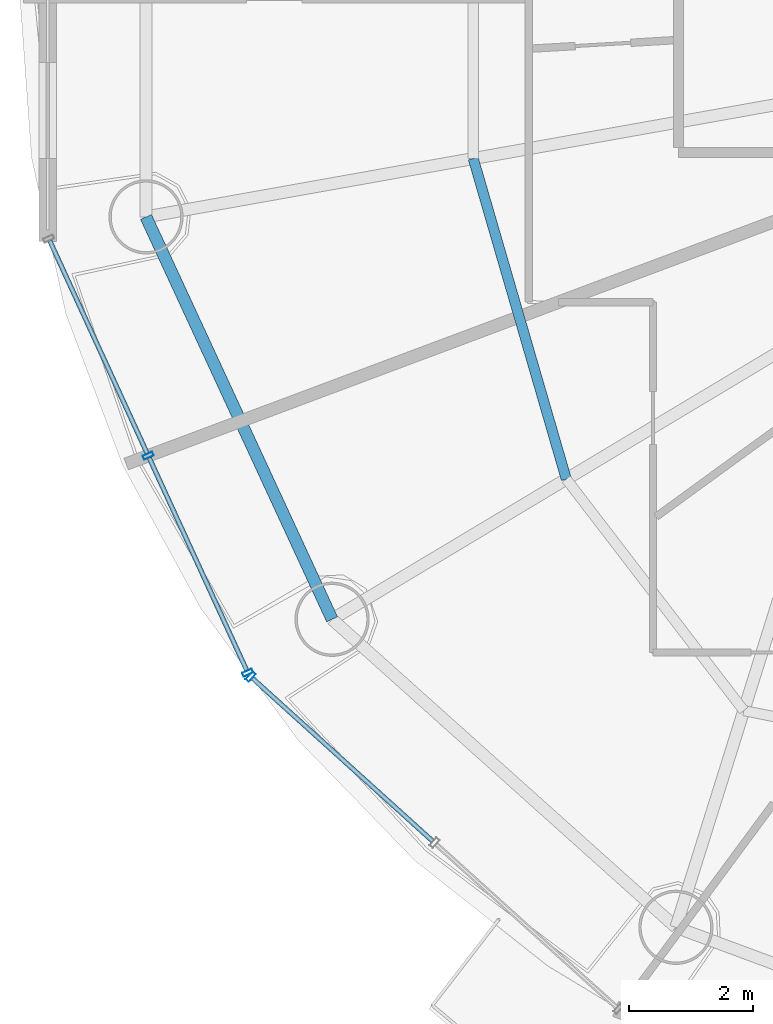
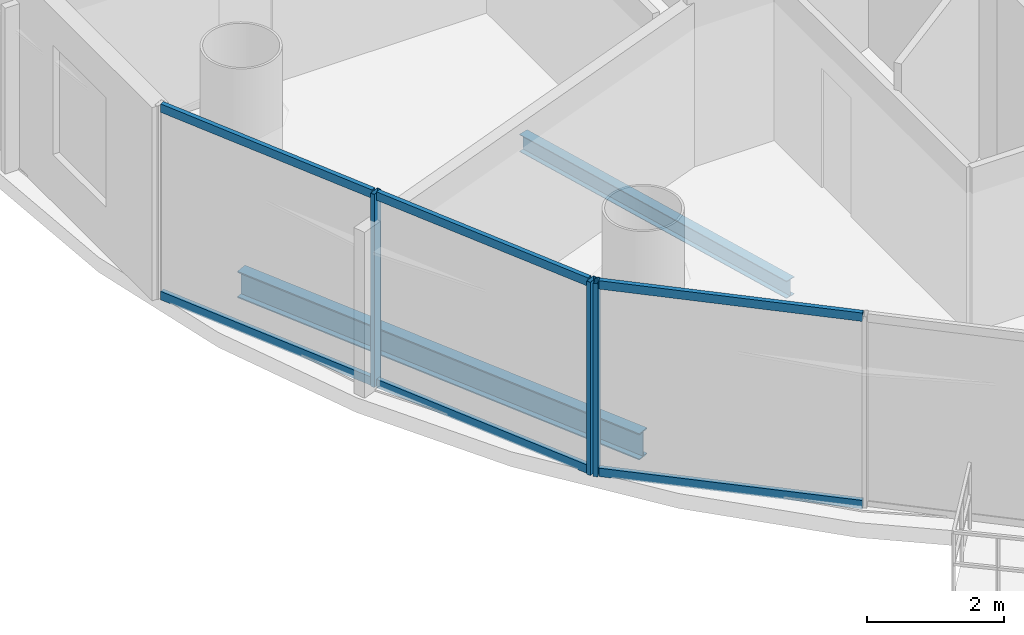
# One storey, part 3 of 26: 9 members, 2 beams, 2 elements without a shape of their own.
"""IFC4 building model written with IfcOpenShell, lengths in metres."""

from ifc_helpers import new_model, si_unit, direction, frame, origin, origin_2d, place, context, subcontext, project, spatial, hollow_rectangle, i_section, extrude, source, transform, mapped, material, material_profile, profile_set, type_object, element, aggregate, save


model = new_model("IFC4")

# Units and contexts
model_context = context("Model", 3, precision=1e-05, world=origin(), true_north=direction((-0.2419218956, 0.970295726276)))
body_context = subcontext(model_context, "Body", "Model", "MODEL_VIEW")
ifc_project = project(units=[si_unit("LENGTHUNIT", "METRE"), si_unit("AREAUNIT", "SQUARE_METRE"), si_unit("VOLUMEUNIT", "CUBIC_METRE"), si_unit("PLANEANGLEUNIT", "RADIAN"), si_unit("MASSUNIT", "GRAM", prefix="KILO")], contexts=[model_context])

# Site, building, storey
site_placement = place(None, origin())
site = spatial("IfcSite", under=ifc_project, at=site_placement, CompositionType="ELEMENT")
building_placement = place(site_placement, origin())
building = spatial("IfcBuilding", under=site, at=building_placement, Name="Cobrevalo Terracotta Tower", CompositionType="ELEMENT")
storey_placement = place(building_placement, frame((0.0, 0.0, 206.0)))
storey = spatial("IfcBuildingStorey", under=building, at=storey_placement, Name="L54", CompositionType="ELEMENT", Elevation=206.0)

# Beams
ifc_material_1 = material(Name="Steel S355", Category="steel")
ifc_material_profile_1 = material_profile(ifc_material_1, i_section(OverallWidth=0.1650390625, OverallDepth=0.31005859375, WebThickness=0.005859375, FlangeThickness=0.009765625, at=origin_2d()), Name="W 310x38.7")
ifc_profile_set_1 = profile_set([ifc_material_profile_1], Name="Steel S355")
beam_type_1 = type_object("IfcBeamType", Name="Structural Joist W 310x38.7 (Steel S355)", PredefinedType="JOIST", material=ifc_profile_set_1)
beam_1_placement = place(storey_placement, frame((23.528564453125, 24.221435546875, -0.419921875), z_axis=(0.278757705995, -0.960361463902, 0.0), x_axis=(0.960361463902, 0.278757705995, 0.0)))
element("IfcBeam", 1, at=beam_1_placement, inside=storey, type_object=beam_type_1, Name="L54 circumferential secondary floor joist 09", PredefinedType="JOIST", context=body_context, shape_type="SweptSolid", body=[
    extrude(i_section(OverallWidth=0.1650390625, OverallDepth=0.31005859375, WebThickness=0.005859375, FlangeThickness=0.009765625, at=origin_2d()), origin(), (0.0, 0.0, 1.0), 5.396728515625),
])
ifc_material_profile_2 = material_profile(ifc_material_1, i_section(OverallWidth=0.194091796875, OverallDepth=0.468994140625, WebThickness=0.011474609375, FlangeThickness=0.0205078125, at=origin_2d()), Name="W 460x106")
ifc_profile_set_2 = profile_set([ifc_material_profile_2], Name="Steel S355")
beam_type_2 = type_object("IfcBeamType", Name="Structural Spandrel W 460x106 (Steel S355)", PredefinedType="SPANDREL", material=ifc_profile_set_2)
beam_2_placement = place(storey_placement, frame((18.237060546875, 23.278564453125, -0.49951171875), z_axis=(0.419718939129, -0.90765412583, 0.0), x_axis=(0.90765412583, 0.419718939129, 0.0)))
element("IfcBeam", 2, at=beam_2_placement, inside=storey, type_object=beam_type_2, Name="L54 perimeter ring spandrel 09", PredefinedType="SPANDREL", context=body_context, shape_type="SweptSolid", body=[
    extrude(i_section(OverallWidth=0.194091796875, OverallDepth=0.468994140625, WebThickness=0.011474609375, FlangeThickness=0.0205078125, at=origin_2d()), origin(), (0.0, 0.0, 1.0), 7.168701171875),
])

# Curtain wall, members
ifc_material_2 = material(Name="Anodized aluminium", Category="aluminium")
curtain_wall_type = type_object("IfcCurtainWallType", Name="Mid-tower high-wind unitised curtain wall CW-U2", PredefinedType="NOTDEFINED", material=ifc_material_2)
curtain_wall_1_placement = place(storey_placement, origin())
curtain_wall_1 = element("IfcCurtainWall", 3, at=curtain_wall_1_placement, inside=storey, type_object=curtain_wall_type, Name="L54 curtain wall CW-L54-S09", PredefinedType="NOTDEFINED")
ifc_material_profile_3 = material_profile(ifc_material_2, hollow_rectangle(XDim=0.074951171875, YDim=0.14990234375, WallThickness=0.00439453125, at=origin_2d()), Name="CWT 75x150")
ifc_profile_set_3 = profile_set([ifc_material_profile_3], Name="Anodized aluminium")
member_type_1 = type_object("IfcMemberType", Name="Tower unitised aluminium transom 75x150", PredefinedType="USERDEFINED", material=ifc_profile_set_3)
shared_shape_1 = source(origin(), body_context, "Body", "SweptSolid", [
    extrude(hollow_rectangle(XDim=0.074951171875, YDim=0.14990234375, WallThickness=0.00439453125, at=origin_2d()), origin(), (0.0, 0.0, 1.0), 3.780029296875),
])
member_1_placement = place(storey_placement, frame((16.681640625, 22.889892578125, 0.050048828125), z_axis=(0.416705859352, -0.909041377926, 0.0), x_axis=(0.909041377926, 0.416705859352, 0.0)))
member_1 = element("IfcMember", 4, at=member_1_placement, type_object=member_type_1, Name="CW-L54-S09 transom B01-T1", ObjectType="TRANSOM", PredefinedType="USERDEFINED", context=body_context, shape_type="MappedRepresentation", body=[
    mapped(shared_shape_1, transform((0.0, 0.0, 0.0), scale=1.0)),
])
member_2_placement = place(storey_placement, frame((16.681640625, 22.889892578125, 3.385009765625), z_axis=(0.416705859352, -0.909041377926, 0.0), x_axis=(0.909041377926, 0.416705859352, 0.0)))
member_2 = element("IfcMember", 5, at=member_2_placement, type_object=member_type_1, Name="CW-L54-S09 transom B01-T2", ObjectType="TRANSOM", PredefinedType="USERDEFINED", context=body_context, shape_type="MappedRepresentation", body=[
    mapped(shared_shape_1, transform((0.0, 0.0, 0.0), scale=1.0)),
])
member_3_placement = place(storey_placement, frame((18.290283203125, 19.380859375, 0.050048828125), z_axis=(0.416705859352, -0.909041377926, 0.0), x_axis=(0.909041377926, 0.416705859352, 0.0)))
member_3 = element("IfcMember", 6, at=member_3_placement, type_object=member_type_1, Name="CW-L54-S09 transom B02-T1", ObjectType="TRANSOM", PredefinedType="USERDEFINED", context=body_context, shape_type="MappedRepresentation", body=[
    mapped(shared_shape_1, transform((0.0, 0.0, 0.0), scale=1.0)),
])
member_4_placement = place(storey_placement, frame((18.290283203125, 19.380859375, 3.385009765625), z_axis=(0.416705859352, -0.909041377926, 0.0), x_axis=(0.909041377926, 0.416705859352, 0.0)))
member_4 = element("IfcMember", 7, at=member_4_placement, type_object=member_type_1, Name="CW-L54-S09 transom B02-T2", ObjectType="TRANSOM", PredefinedType="USERDEFINED", context=body_context, shape_type="MappedRepresentation", body=[
    mapped(shared_shape_1, transform((0.0, 0.0, 0.0), scale=1.0)),
])

curtain_wall_2_placement = place(storey_placement, origin())
curtain_wall_2 = element("IfcCurtainWall", 8, at=curtain_wall_2_placement, inside=storey, type_object=curtain_wall_type, Name="L54 curtain wall CW-L54-S10", PredefinedType="NOTDEFINED")
shared_shape_2 = source(origin(), body_context, "Body", "SweptSolid", [
    extrude(hollow_rectangle(XDim=0.074951171875, YDim=0.14990234375, WallThickness=0.00439453125, at=origin_2d()), origin(), (0.0, 0.0, 1.0), 3.927490234375),
])
member_5_placement = place(storey_placement, frame((19.958251953125, 15.818359375, 0.050048828125), z_axis=(0.741975952623, -0.670426495396, 0.0), x_axis=(0.670426495396, 0.741975952623, 0.0)))
member_5 = element("IfcMember", 9, at=member_5_placement, type_object=member_type_1, Name="CW-L54-S10 transom B01-T1", ObjectType="TRANSOM", PredefinedType="USERDEFINED", context=body_context, shape_type="MappedRepresentation", body=[
    mapped(shared_shape_2, transform((0.0, 0.0, 0.0), scale=1.0)),
])
member_6_placement = place(storey_placement, frame((19.958251953125, 15.818359375, 3.385009765625), z_axis=(0.741975952623, -0.670426495396, 0.0), x_axis=(0.670426495396, 0.741975952623, 0.0)))
member_6 = element("IfcMember", 10, at=member_6_placement, type_object=member_type_1, Name="CW-L54-S10 transom B01-T2", ObjectType="TRANSOM", PredefinedType="USERDEFINED", context=body_context, shape_type="MappedRepresentation", body=[
    mapped(shared_shape_2, transform((0.0, 0.0, 0.0), scale=1.0)),
])

# Member
ifc_material_profile_4 = material_profile(ifc_material_2, hollow_rectangle(XDim=0.070068359375, YDim=0.169921875, WallThickness=0.00439453125, at=origin_2d()), Name="CWM 70x170")
ifc_profile_set_4 = profile_set([ifc_material_profile_4], Name="Anodized aluminium")
member_type_2 = type_object("IfcMemberType", Name="Upper tower unitised mullion 70x170", PredefinedType="MULLION", material=ifc_profile_set_4)
shared_shape_3 = source(origin(), body_context, "Body", "SweptSolid", [
    extrude(hollow_rectangle(XDim=0.070068359375, YDim=0.169921875, WallThickness=0.00439453125, at=origin_2d()), origin(), (0.0, 0.0, 1.0), 3.43505859375),
])
member_7_placement = place(storey_placement, frame((18.273681640625, 19.417236328125, 0.0), z_axis=(0.0, 0.0, 1.0), x_axis=(0.41672507912, -0.909032567311, 0.0)))
member_7 = element("IfcMember", 11, at=member_7_placement, type_object=member_type_2, Name="CW-L54-S09 vertical mullion 02", PredefinedType="MULLION", context=body_context, shape_type="MappedRepresentation", body=[
    mapped(shared_shape_3, transform((0.0, 0.0, 0.0), scale=1.0)),
])

member_8_placement = place(storey_placement, frame((19.88232421875, 15.908203125, 0.0), z_axis=(0.0, 0.0, 1.0), x_axis=(0.41672507912, -0.909032567311, 0.0)))
member_8 = element("IfcMember", 12, at=member_8_placement, type_object=member_type_2, Name="CW-L54-S09 vertical mullion 03", PredefinedType="MULLION", context=body_context, shape_type="MappedRepresentation", body=[
    mapped(shared_shape_3, transform((0.0, 0.0, 0.0), scale=1.0)),
])

aggregate(curtain_wall_1, [member_7, member_8, member_1, member_2, member_3, member_4])

member_9_placement = place(storey_placement, frame((19.928466796875, 15.84521484375, 0.0), z_axis=(0.0, 0.0, 1.0), x_axis=(0.741987542015, -0.670413668935, 0.0)))
member_9 = element("IfcMember", 13, at=member_9_placement, type_object=member_type_2, Name="CW-L54-S10 vertical mullion 01", PredefinedType="MULLION", context=body_context, shape_type="MappedRepresentation", body=[
    mapped(shared_shape_3, transform((0.0, 0.0, 0.0), scale=1.0)),
])

aggregate(curtain_wall_2, [member_9, member_5, member_6])

save(model, "model.ifc")
